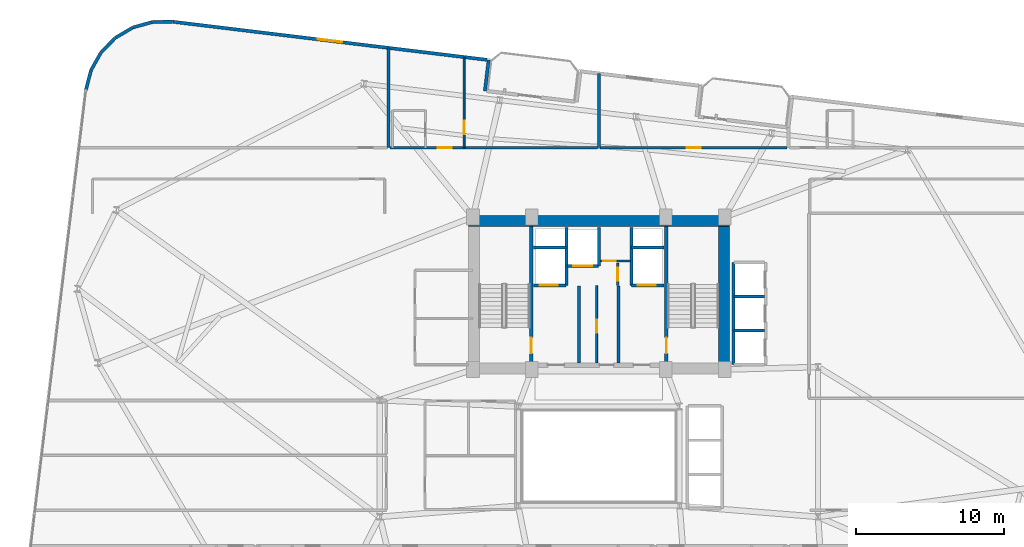
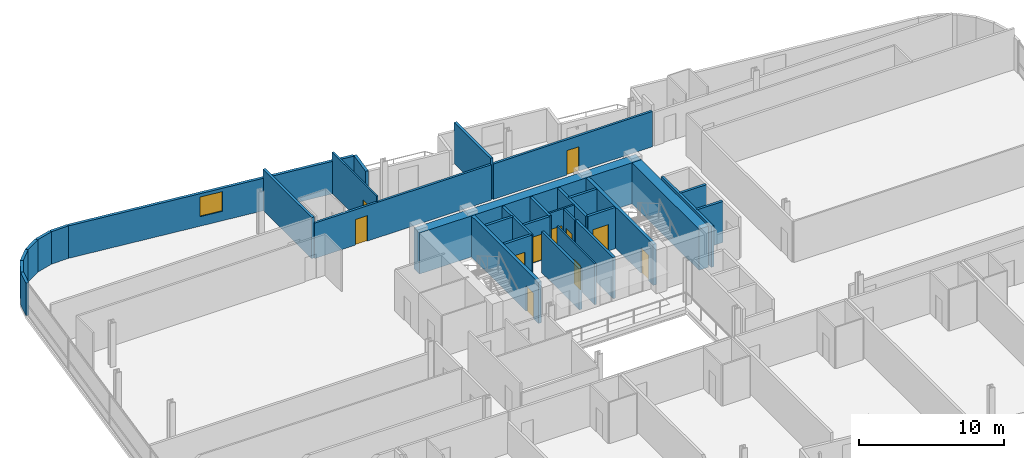
# One storey, part 22 of 26: 33 walls, 11 doors, 1 window, 12 openings.
"""IFC4 building model written with IfcOpenShell, lengths in metres."""

from ifc_helpers import new_model, si_unit, direction, frame, frame_2d, origin, place, context, subcontext, project, spatial, rectangle, extrude, material, layer, layer_set, type_object, element, fill, save


model = new_model("IFC4")

# Units and contexts
model_context = context("Model", 3, precision=1e-05, world=origin(), true_north=direction((0.0, 1.0)))
body_context = subcontext(model_context, "Body", "Model", "MODEL_VIEW")
ifc_project = project(units=[si_unit("LENGTHUNIT", "METRE"), si_unit("AREAUNIT", "SQUARE_METRE"), si_unit("VOLUMEUNIT", "CUBIC_METRE"), si_unit("PLANEANGLEUNIT", "RADIAN"), si_unit("MASSUNIT", "GRAM", prefix="KILO")], contexts=[model_context])

# Site, building, storey
site_placement = place(None, origin())
site = spatial("IfcSite", under=ifc_project, at=site_placement, CompositionType="ELEMENT")
building_placement = place(site_placement, origin())
building = spatial("IfcBuilding", under=site, at=building_placement, Name="Varnelok Gate Tower", CompositionType="ELEMENT")
storey_placement = place(building_placement, frame((0.0, 0.0, 143.89990234375)))
storey = spatial("IfcBuildingStorey", under=building, at=storey_placement, Name="L36", CompositionType="ELEMENT", Elevation=143.89990234375)

# Wall
ifc_material_1 = material(Name="Concrete C45/55", Category="concrete")
ifc_layer_1 = layer(ifc_material_1, 0.219970703125)
ifc_layer_set_1 = layer_set([ifc_layer_1], Name="Concrete C45/55")
wall_type_1 = type_object("IfcWallType", Name="EW-BALC-220", PredefinedType="SOLIDWALL", material=ifc_layer_set_1)
wall_1_placement = place(storey_placement, frame((31.50390625, 47.568115234375, 0.0), z_axis=(0.0, 0.0, 1.0), x_axis=(0.120341784665, 0.992732519294, 0.0)))
element("IfcWall", 1, at=wall_1_placement, inside=storey, type_object=wall_type_1, Name="L36 Perimeter Facade Closure Wall 31", PredefinedType="SOLIDWALL", context=body_context, shape_type="SweptSolid", body=[
    extrude(rectangle(XDim=2.099853515625, YDim=0.219970703125, at=frame_2d((1.0498046875, 0.0))), origin(), (0.0, 0.0, 1.0), 2.72998046875),
])

# Wall, opening, window
wall_2_placement = place(storey_placement, frame((31.632568359375, 49.667724609375, 0.0), z_axis=(0.0, 0.0, 1.0), x_axis=(-0.992731670483, 0.120348786531, 0.0)))
wall_2 = element("IfcWall", 2, at=wall_2_placement, inside=storey, type_object=wall_type_1, Name="L36 Perimeter Facade Closure Wall 32", PredefinedType="SOLIDWALL", context=body_context, shape_type="SweptSolid", body=[
    extrude(rectangle(XDim=21.34716796875, YDim=0.219970703125, at=frame_2d((10.673583984375, 0.0))), origin(), (0.0, 0.0, 1.0), 2.72998046875),
])
opening_1_placement = place(wall_2_placement, frame((9.8486328125, 0.0, 0.800048828125)))
opening_1 = element("IfcOpeningElement", 3, at=opening_1_placement, cuts=wall_2, Name="Opening WN3", PredefinedType="OPENING", context=body_context, shape_type="SweptSolid", body=[
    extrude(rectangle(XDim=1.64990234375, YDim=1.64990234375, at=frame_2d((0.824951171875, 0.824951171875))), frame((0.0, 0.119873046875, 0.0), z_axis=(0.0, -1.0, 0.0), x_axis=(1.0, 0.0, 0.0)), (0.0, 0.0, 1.0), 0.239990234375),
])
ifc_material_2 = material(Name="Low-E Laminated Double Glazing IGU", Category="glass")
window_type = type_object("IfcWindowType", Name="WN-HTL-1650", PartitioningType="SINGLE_PANEL", PredefinedType="WINDOW", material=ifc_material_2)
window_placement = place(opening_1_placement, origin())
window = element("IfcWindow", 4, at=window_placement, inside=storey, type_object=window_type, Name="L36 Perimeter Vision Window 32", OverallHeight=1.64990234375, OverallWidth=1.64990234375, PartitioningType="SINGLE_PANEL", PredefinedType="WINDOW", context=body_context, shape_type="SweptSolid", body=[
    extrude(rectangle(XDim=1.64990234375, YDim=1.64990234375, at=frame_2d((0.824951171875, 0.824951171875))), frame((0.0, 0.030029296875, 0.0), z_axis=(0.0, -1.0, 0.0), x_axis=(1.0, 0.0, 0.0)), (0.0, 0.0, 1.0), 0.06005859375),
])
fill(opening_1, window)

# Walls
wall_3_placement = place(storey_placement, frame((10.41552734375, 52.236572265625, 0.0), z_axis=(0.0, 0.0, 1.0), x_axis=(-0.999947718056, -0.010225514878, 0.0)))
element("IfcWall", 5, at=wall_3_placement, inside=storey, type_object=wall_type_1, Name="L36 Perimeter Facade Closure Wall 33", PredefinedType="SOLIDWALL", context=body_context, shape_type="SweptSolid", body=[
    extrude(rectangle(XDim=1.36083984375, YDim=0.219970703125, at=frame_2d((0.680419921875, 0.0))), origin(), (0.0, 0.0, 1.0), 2.72998046875),
])
for number, where, z_axis, x_axis, name in (
    (6, (9.030517578125, 52.2158203125, 0.0), (0.0, 0.0, 1.0), (-0.963227802828, -0.268686061898, 0.0), "L36 Perimeter Facade Closure Wall 34"),
    (7, (7.70556640625, 51.839599609375, 0.0), (0.0, 0.0, 1.0), (-0.860739665837, -0.509045408244, 0.0), "L36 Perimeter Facade Closure Wall 35"),
):
    element("IfcWall", number, at=place(storey_placement, frame(where, z_axis=z_axis, x_axis=x_axis)), inside=storey, type_object=wall_type_1, Name=name, PredefinedType="SOLIDWALL", context=body_context, shape_type="SweptSolid", body=[
        extrude(rectangle(XDim=1.35302734375, YDim=0.219970703125, at=frame_2d((0.676513671875, 0.0))), origin(), (0.0, 0.0, 1.0), 2.72998046875),
    ])
wall_4_placement = place(storey_placement, frame((6.5234375, 51.13330078125, 0.0), z_axis=(0.0, 0.0, 1.0), x_axis=(-0.699762925925, -0.714375144795, 0.0)))
element("IfcWall", 8, at=wall_4_placement, inside=storey, type_object=wall_type_1, Name="L36 Perimeter Facade Closure Wall 36", PredefinedType="SOLIDWALL", context=body_context, shape_type="SweptSolid", body=[
    extrude(rectangle(XDim=1.353271484375, YDim=0.219970703125, at=frame_2d((0.6767578125, 0.0))), origin(), (0.0, 0.0, 1.0), 2.72998046875),
])
wall_5_placement = place(storey_placement, frame((5.564208984375, 50.144775390625, 0.0), z_axis=(0.0, 0.0, 1.0), x_axis=(-0.491117621399, -0.871093268227, 0.0)))
element("IfcWall", 9, at=wall_5_placement, inside=storey, type_object=wall_type_1, Name="L36 Perimeter Facade Closure Wall 37", PredefinedType="SOLIDWALL", context=body_context, shape_type="SweptSolid", body=[
    extrude(rectangle(XDim=1.35302734375, YDim=0.219970703125, at=frame_2d((0.676513671875, 0.0))), origin(), (0.0, 0.0, 1.0), 2.72998046875),
])
wall_6_placement = place(storey_placement, frame((4.8935546875, 48.94189453125, 0.0), z_axis=(0.0, 0.0, 1.0), x_axis=(-0.248857256909, -0.968540172468, 0.0)))
element("IfcWall", 10, at=wall_6_placement, inside=storey, type_object=wall_type_1, Name="L36 Perimeter Facade Closure Wall 38", PredefinedType="SOLIDWALL", context=body_context, shape_type="SweptSolid", body=[
    extrude(rectangle(XDim=1.352783203125, YDim=0.219970703125, at=frame_2d((0.67626953125, 0.0))), origin(), (0.0, 0.0, 1.0), 2.72998046875),
])

# Wall, opening, door
ifc_material_3 = material(Name="Gypsum Plasterboard Acoustic Partition", Category="gypsum")
ifc_layer_2 = layer(ifc_material_3, 0.179931640625)
ifc_layer_set_2 = layer_set([ifc_layer_2], Name="Gypsum Plasterboard Acoustic Partition")
wall_type_2 = type_object("IfcWallType", Name="PW-CORR-180", PredefinedType="PARTITIONING", material=ifc_layer_set_2)
wall_7_placement = place(storey_placement, frame((25.080078125, 43.72998046875, 0.0), z_axis=(0.0, 0.0, 1.0), x_axis=(1.0, 0.0, 0.0)))
wall_7 = element("IfcWall", 11, at=wall_7_placement, inside=storey, type_object=wall_type_2, Name="Interior Partition", PredefinedType="PARTITIONING", context=body_context, shape_type="SweptSolid", body=[
    extrude(rectangle(XDim=14.0400390625, YDim=0.179931640625, at=frame_2d((7.02001953125, 0.0))), origin(), (0.0, 0.0, 1.0), 2.97216796875),
])
opening_2_placement = place(wall_7_placement, frame((3.22998046875, 0.0, 0.0)))
opening_2 = element("IfcOpeningElement", 12, at=opening_2_placement, cuts=wall_7, Name="Opening D-HT", PredefinedType="OPENING", context=body_context, shape_type="SweptSolid", body=[
    extrude(rectangle(XDim=0.949951171875, YDim=2.14990234375, at=frame_2d((0.47509765625, 1.074951171875))), frame((0.0, 0.099853515625, 0.0), z_axis=(0.0, -1.0, 0.0), x_axis=(1.0, 0.0, 0.0)), (0.0, 0.0, 1.0), 0.199951171875),
])
ifc_material_4 = material(Name="Engineered Hardwood Timber", Category="wood")
door_type_1 = type_object("IfcDoorType", Name="DR-HTL-950", OperationType="NOTDEFINED", PredefinedType="DOOR", material=ifc_material_4)
door_1_placement = place(opening_2_placement, origin())
door_1 = element("IfcDoor", 13, at=door_1_placement, inside=storey, type_object=door_type_1, Name="L36 Guest Room 09 Entrance Door", OperationType="SINGLE_SWING_RIGHT", OverallHeight=2.14990234375, OverallWidth=0.949951171875, PredefinedType="DOOR", context=body_context, shape_type="SweptSolid", body=[
    extrude(rectangle(XDim=0.949951171875, YDim=2.14990234375, at=frame_2d((0.47509765625, 1.074951171875))), frame((0.0, 0.02490234375, 0.0), z_axis=(0.0, -1.0, 0.0), x_axis=(1.0, 0.0, 0.0)), (0.0, 0.0, 1.0), 0.050048828125),
])
fill(opening_2, door_1)

wall_8_placement = place(storey_placement, frame((39.280029296875, 43.72998046875, 0.0), z_axis=(0.0, 0.0, 1.0), x_axis=(1.0, 0.0, 0.0)))
wall_8 = element("IfcWall", 14, at=wall_8_placement, inside=storey, type_object=wall_type_2, Name="Interior Partition", PredefinedType="PARTITIONING", context=body_context, shape_type="SweptSolid", body=[
    extrude(rectangle(XDim=12.639892578125, YDim=0.179931640625, at=frame_2d((6.31982421875, 0.0))), origin(), (0.0, 0.0, 1.0), 2.97216796875),
])
opening_3_placement = place(wall_8_placement, frame((5.844970703125, 0.0, 0.0)))
opening_3 = element("IfcOpeningElement", 15, at=opening_3_placement, cuts=wall_8, Name="Opening D-I2", PredefinedType="OPENING", context=body_context, shape_type="SweptSolid", body=[
    extrude(rectangle(XDim=0.949951171875, YDim=2.050048828125, at=frame_2d((0.47509765625, 1.02490234375))), frame((0.0, 0.099853515625, 0.0), z_axis=(0.0, -1.0, 0.0), x_axis=(1.0, 0.0, 0.0)), (0.0, 0.0, 1.0), 0.199951171875),
])
door_type_2 = type_object("IfcDoorType", Name="DR-INT-950", OperationType="NOTDEFINED", PredefinedType="DOOR", material=ifc_material_4)
door_2_placement = place(opening_3_placement, origin())
door_2 = element("IfcDoor", 16, at=door_2_placement, inside=storey, type_object=door_type_2, Name="L36 Sky Library Door", OperationType="SINGLE_SWING_LEFT", OverallHeight=2.050048828125, OverallWidth=0.949951171875, PredefinedType="DOOR", context=body_context, shape_type="SweptSolid", body=[
    extrude(rectangle(XDim=0.949951171875, YDim=2.050048828125, at=frame_2d((0.47509765625, 1.02490234375))), frame((0.0, 0.02490234375, 0.0), z_axis=(0.0, -1.0, 0.0), x_axis=(1.0, 0.0, 0.0)), (0.0, 0.0, 1.0), 0.050048828125),
])
fill(opening_3, door_2)

ifc_layer_3 = layer(ifc_material_3, 0.125)
ifc_layer_set_3 = layer_set([ifc_layer_3], Name="Gypsum Plasterboard Acoustic Partition")
wall_type_3 = type_object("IfcWallType", Name="PW-PART-125", PredefinedType="PARTITIONING", material=ifc_layer_set_3)
wall_9_placement = place(storey_placement, frame((30.10009765625, 43.72998046875, 0.0), z_axis=(0.0, 0.0, 1.0), x_axis=(0.0, 1.0, 0.0)))
wall_9 = element("IfcWall", 17, at=wall_9_placement, inside=storey, type_object=wall_type_3, Name="Interior Partition", PredefinedType="PARTITIONING", context=body_context, shape_type="SweptSolid", body=[
    extrude(rectangle(XDim=6.103515625, YDim=0.125, at=frame_2d((3.0517578125, 0.0))), origin(), (0.0, 0.0, 1.0), 3.4501953125),
])
opening_4_placement = place(wall_9_placement, frame((0.89453125, 0.0, 0.0)))
opening_4 = element("IfcOpeningElement", 18, at=opening_4_placement, cuts=wall_9, Name="Opening D-I3", PredefinedType="OPENING", context=body_context, shape_type="SweptSolid", body=[
    extrude(rectangle(XDim=0.919921875, YDim=2.050048828125, at=frame_2d((0.4599609375, 1.02490234375))), frame((0.0, 0.072509765625, 0.0), z_axis=(0.0, -1.0, 0.0), x_axis=(1.0, 0.0, 0.0)), (0.0, 0.0, 1.0), 0.14501953125),
])
door_type_3 = type_object("IfcDoorType", Name="DR-INT-920", OperationType="NOTDEFINED", PredefinedType="DOOR", material=ifc_material_4)
door_3_placement = place(opening_4_placement, origin())
door_3 = element("IfcDoor", 19, at=door_3_placement, inside=storey, type_object=door_type_3, Name="L36 Suite Bedroom Door 9", OperationType="SINGLE_SWING_LEFT", OverallHeight=2.050048828125, OverallWidth=0.919921875, PredefinedType="DOOR", context=body_context, shape_type="SweptSolid", body=[
    extrude(rectangle(XDim=0.919921875, YDim=2.050048828125, at=frame_2d((0.4599609375, 1.02490234375))), frame((0.0, 0.02490234375, 0.0), z_axis=(0.0, -1.0, 0.0), x_axis=(1.0, 0.0, 0.0)), (0.0, 0.0, 1.0), 0.050048828125),
])
fill(opening_4, door_3)

wall_10_placement = place(storey_placement, frame((39.050048828125, 29.199951171875, 0.0), z_axis=(0.0, 0.0, 1.0), x_axis=(0.0, 1.0, 0.0)))
wall_10 = element("IfcWall", 20, at=wall_10_placement, inside=storey, type_object=wall_type_3, Name="Interior Partition", PredefinedType="PARTITIONING", context=body_context, shape_type="SweptSolid", body=[
    extrude(rectangle(XDim=5.219970703125, YDim=0.125, at=frame_2d((2.60986328125, 0.0))), origin(), (0.0, 0.0, 1.0), 3.4501953125),
])
opening_5_placement = place(wall_10_placement, frame((2.050048828125, 0.0, 0.0)))
opening_5 = element("IfcOpeningElement", 21, at=opening_5_placement, cuts=wall_10, Name="Opening D-RS", PredefinedType="OPENING", context=body_context, shape_type="SweptSolid", body=[
    extrude(rectangle(XDim=0.85009765625, YDim=2.050048828125, at=frame_2d((0.425048828125, 1.02490234375))), frame((0.0, 0.072509765625, 0.0), z_axis=(0.0, -1.0, 0.0), x_axis=(1.0, 0.0, 0.0)), (0.0, 0.0, 1.0), 0.14501953125),
])
ifc_material_5 = material(Name="Galvanized Steel Grade S350GD", Category="steel")
door_type_4 = type_object("IfcDoorType", Name="DR-RISER-850", OperationType="NOTDEFINED", PredefinedType="DOOR", material=ifc_material_5)
door_4_placement = place(opening_5_placement, origin())
door_4 = element("IfcDoor", 22, at=door_4_placement, inside=storey, type_object=door_type_4, Name="L36 Housekeeping Linen Door", OperationType="SINGLE_SWING_LEFT", OverallHeight=2.050048828125, OverallWidth=0.85009765625, PredefinedType="DOOR", context=body_context, shape_type="SweptSolid", body=[
    extrude(rectangle(XDim=0.85009765625, YDim=2.050048828125, at=frame_2d((0.425048828125, 1.02490234375))), frame((0.0, 0.02490234375, 0.0), z_axis=(0.0, -1.0, 0.0), x_axis=(1.0, 0.0, 0.0)), (0.0, 0.0, 1.0), 0.050048828125),
])
fill(opening_5, door_4)

ifc_layer_4 = layer(ifc_material_3, 0.14990234375)
ifc_layer_set_4 = layer_set([ifc_layer_4], Name="Gypsum Plasterboard Acoustic Partition")
wall_type_4 = type_object("IfcWallType", Name="PW-PART-150", PredefinedType="PARTITIONING", material=ifc_layer_set_4)
wall_11_placement = place(storey_placement, frame((39.300048828125, 36.080078125, 0.0), z_axis=(0.0, 0.0, 1.0), x_axis=(1.0, 0.0, 0.0)))
wall_11 = element("IfcWall", 23, at=wall_11_placement, inside=storey, type_object=wall_type_4, Name="L36 Electrical Closet South Wall", PredefinedType="PARTITIONING", context=body_context, shape_type="SweptSolid", body=[
    extrude(rectangle(XDim=2.02001953125, YDim=0.14990234375, at=frame_2d((1.010009765625, 0.0))), origin(), (0.0, 0.0, 1.0), 3.4501953125),
])
opening_6_placement = place(wall_11_placement, frame((0.179931640625, 0.0, 0.0)))
opening_6 = element("IfcOpeningElement", 24, at=opening_6_placement, cuts=wall_11, Name="Opening D-RS", PredefinedType="OPENING", context=body_context, shape_type="SweptSolid", body=[
    extrude(rectangle(XDim=0.85009765625, YDim=2.050048828125, at=frame_2d((0.425048828125, 1.02490234375))), frame((0.0, 0.0849609375, 0.0), z_axis=(0.0, -1.0, 0.0), x_axis=(1.0, 0.0, 0.0)), (0.0, 0.0, 1.0), 0.169921875),
])
door_5_placement = place(opening_6_placement, origin())
door_5 = element("IfcDoor", 25, at=door_5_placement, inside=storey, type_object=door_type_4, Name="L36 Electrical Closet Door", OperationType="SINGLE_SWING_RIGHT", OverallHeight=2.050048828125, OverallWidth=0.85009765625, PredefinedType="DOOR", context=body_context, shape_type="SweptSolid", body=[
    extrude(rectangle(XDim=0.85009765625, YDim=2.050048828125, at=frame_2d((0.425048828125, 1.02490234375))), frame((0.0, 0.02490234375, 0.0), z_axis=(0.0, -1.0, 0.0), x_axis=(1.0, 0.0, 0.0)), (0.0, 0.0, 1.0), 0.050048828125),
])
fill(opening_6, door_5)

wall_12_placement = place(storey_placement, frame((40.47998046875, 34.43994140625, 0.0), z_axis=(0.0, 0.0, 1.0), x_axis=(0.0, 1.0, 0.0)))
wall_12 = element("IfcWall", 26, at=wall_12_placement, inside=storey, type_object=wall_type_4, Name="L36 Telecoms Closet West Wall", PredefinedType="PARTITIONING", context=body_context, shape_type="SweptSolid", body=[
    extrude(rectangle(XDim=1.52001953125, YDim=0.14990234375, at=frame_2d((0.760009765625, 0.0))), origin(), (0.0, 0.0, 1.0), 3.4501953125),
])
opening_7_placement = place(wall_12_placement, frame((0.320068359375, 0.0, 0.0)))
opening_7 = element("IfcOpeningElement", 27, at=opening_7_placement, cuts=wall_12, Name="Opening D-RS", PredefinedType="OPENING", context=body_context, shape_type="SweptSolid", body=[
    extrude(rectangle(XDim=0.85009765625, YDim=2.050048828125, at=frame_2d((0.425048828125, 1.02490234375))), frame((0.0, 0.0849609375, 0.0), z_axis=(0.0, -1.0, 0.0), x_axis=(1.0, 0.0, 0.0)), (0.0, 0.0, 1.0), 0.169921875),
])
door_6_placement = place(opening_7_placement, origin())
door_6 = element("IfcDoor", 28, at=door_6_placement, inside=storey, type_object=door_type_4, Name="L36 Telecoms Closet Door", OperationType="SINGLE_SWING_LEFT", OverallHeight=2.050048828125, OverallWidth=0.85009765625, PredefinedType="DOOR", context=body_context, shape_type="SweptSolid", body=[
    extrude(rectangle(XDim=0.85009765625, YDim=2.050048828125, at=frame_2d((0.425048828125, 1.02490234375))), frame((0.0, 0.02490234375, 0.0), z_axis=(0.0, -1.0, 0.0), x_axis=(1.0, 0.0, 0.0)), (0.0, 0.0, 1.0), 0.050048828125),
])
fill(opening_7, door_6)

# Walls
ifc_layer_5 = layer(ifc_material_3, 0.205078125)
ifc_layer_set_5 = layer_set([ifc_layer_5], Name="Gypsum Plasterboard Acoustic Partition")
wall_type_5 = type_object("IfcWallType", Name="PW-PARTY-200", PredefinedType="PARTITIONING", material=ifc_layer_set_5)
wall_13_placement = place(storey_placement, frame((25.0, 43.72998046875, 0.0), z_axis=(0.0, 0.0, 1.0), x_axis=(0.0, 1.0, 0.0)))
element("IfcWall", 29, at=wall_13_placement, inside=storey, type_object=wall_type_5, Name="L36 North Party Wall 1", PredefinedType="PARTITIONING", context=body_context, shape_type="SweptSolid", body=[
    extrude(rectangle(XDim=6.7216796875, YDim=0.205078125, at=frame_2d((3.36083984375, 0.0))), origin(), (0.0, 0.0, 1.0), 3.4501953125),
])
wall_14_placement = place(storey_placement, frame((39.199951171875, 43.72998046875, 0.0), z_axis=(0.0, 0.0, 1.0), x_axis=(0.0, 1.0, 0.0)))
element("IfcWall", 30, at=wall_14_placement, inside=storey, type_object=wall_type_5, Name="L36 North Party Wall 2", PredefinedType="PARTITIONING", context=body_context, shape_type="SweptSolid", body=[
    extrude(rectangle(XDim=5.000244140625, YDim=0.205078125, at=frame_2d((2.5, 0.0))), origin(), (0.0, 0.0, 1.0), 3.4501953125),
])
ifc_material_6 = material(Name="Concrete C35/45", Category="concrete")
ifc_layer_6 = layer(ifc_material_6, 0.199951171875)
ifc_layer_set_6 = layer_set([ifc_layer_6], Name="Concrete C35/45")
wall_type_6 = type_object("IfcWallType", Name="PW-SHAFT-200", PredefinedType="PARTITIONING", material=ifc_layer_set_6)
for number, where, z_axis, x_axis, name in (
    (31, (37.860107421875, 29.199951171875, 0.0), (0.0, 0.0, 1.0), (0.0, 1.0, 0.0), "L36 West FF Lobby Rated Wall"),
    (32, (40.5400390625, 29.199951171875, 0.0), (0.0, 0.0, 1.0), (0.0, 1.0, 0.0), "L36 East FF Lobby Rated Wall"),
):
    element("IfcWall", number, at=place(storey_placement, frame(where, z_axis=z_axis, x_axis=x_axis)), inside=storey, type_object=wall_type_6, Name=name, PredefinedType="PARTITIONING", context=body_context, shape_type="SweptSolid", body=[
        extrude(rectangle(XDim=5.179931640625, YDim=0.199951171875, at=frame_2d((2.58984375, 0.0))), origin(), (0.0, 0.0, 1.0), 3.4501953125),
    ])

# Wall, opening, door
wall_15_placement = place(storey_placement, frame((34.800048828125, 34.43994140625, 0.0), z_axis=(0.0, 0.0, 1.0), x_axis=(1.0, 0.0, 0.0)))
wall_15 = element("IfcWall", 33, at=wall_15_placement, inside=storey, type_object=wall_type_6, Name="L36 FF1 Shaft Front Wall", PredefinedType="PARTITIONING", context=body_context, shape_type="SweptSolid", body=[
    extrude(rectangle(XDim=2.179931640625, YDim=0.199951171875, at=frame_2d((1.08984375, 0.0))), origin(), (0.0, 0.0, 1.0), 3.4501953125),
])
opening_8_placement = place(wall_15_placement, frame((0.419921875, 0.0, 0.0)))
opening_8 = element("IfcOpeningElement", 34, at=opening_8_placement, cuts=wall_15, Name="Opening LD-FF1", PredefinedType="OPENING", context=body_context, shape_type="SweptSolid", body=[
    extrude(rectangle(XDim=1.199951171875, YDim=2.199951171875, at=frame_2d((0.60009765625, 1.10009765625))), frame((0.0, 0.10986328125, 0.0), z_axis=(0.0, -1.0, 0.0), x_axis=(1.0, 0.0, 0.0)), (0.0, 0.0, 1.0), 0.219970703125),
])
door_type_5 = type_object("IfcDoorType", Name="DR-LIFT-FF1200", OperationType="SLIDING_TO_LEFT", PredefinedType="DOOR", material=ifc_material_5)
door_7_placement = place(opening_8_placement, origin())
door_7 = element("IfcDoor", 35, at=door_7_placement, inside=storey, type_object=door_type_5, Name="L36 Firefighting Lift Landing Door LD-FF1", OperationType="SLIDING_TO_LEFT", OverallHeight=2.199951171875, OverallWidth=1.199951171875, PredefinedType="DOOR", context=body_context, shape_type="SweptSolid", body=[
    extrude(rectangle(XDim=1.199951171875, YDim=2.199951171875, at=frame_2d((0.60009765625, 1.10009765625))), frame((0.0, 0.02490234375, 0.0), z_axis=(0.0, -1.0, 0.0), x_axis=(1.0, 0.0, 0.0)), (0.0, 0.0, 1.0), 0.050048828125),
])
fill(opening_8, door_7)

# Walls
wall_16_placement = place(storey_placement, frame((34.800048828125, 36.97998046875, 0.0), z_axis=(0.0, 0.0, 1.0), x_axis=(1.0, 0.0, 0.0)))
element("IfcWall", 36, at=wall_16_placement, inside=storey, type_object=wall_type_6, Name="L36 FF1 Shaft North Wall", PredefinedType="PARTITIONING", context=body_context, shape_type="SweptSolid", body=[
    extrude(rectangle(XDim=2.179931640625, YDim=0.199951171875, at=frame_2d((1.08984375, 0.0))), origin(), (0.0, 0.0, 1.0), 3.4501953125),
])
wall_17_placement = place(storey_placement, frame((37.0, 34.43994140625, 0.0), z_axis=(0.0, 0.0, 1.0), x_axis=(0.0, 1.0, 0.0)))
element("IfcWall", 37, at=wall_17_placement, inside=storey, type_object=wall_type_6, Name="L36 FF1 Shaft Side Wall", PredefinedType="PARTITIONING", context=body_context, shape_type="SweptSolid", body=[
    extrude(rectangle(XDim=3.900146484375, YDim=0.199951171875, at=frame_2d((1.9501953125, 0.0))), origin(), (0.0, 0.0, 1.0), 3.4501953125),
])

# Wall, opening, door
wall_18_placement = place(storey_placement, frame((41.419921875, 34.43994140625, 0.0), z_axis=(0.0, 0.0, 1.0), x_axis=(1.0, 0.0, 0.0)))
wall_18 = element("IfcWall", 38, at=wall_18_placement, inside=storey, type_object=wall_type_6, Name="L36 FF2 Shaft Front Wall", PredefinedType="PARTITIONING", context=body_context, shape_type="SweptSolid", body=[
    extrude(rectangle(XDim=2.18017578125, YDim=0.199951171875, at=frame_2d((1.090087890625, 0.0))), origin(), (0.0, 0.0, 1.0), 3.4501953125),
])
opening_9_placement = place(wall_18_placement, frame((0.419921875, 0.0, 0.0)))
opening_9 = element("IfcOpeningElement", 39, at=opening_9_placement, cuts=wall_18, Name="Opening LD-FF2", PredefinedType="OPENING", context=body_context, shape_type="SweptSolid", body=[
    extrude(rectangle(XDim=1.199951171875, YDim=2.199951171875, at=frame_2d((0.60009765625, 1.10009765625))), frame((0.0, 0.10986328125, 0.0), z_axis=(0.0, -1.0, 0.0), x_axis=(1.0, 0.0, 0.0)), (0.0, 0.0, 1.0), 0.219970703125),
])
door_8_placement = place(opening_9_placement, origin())
door_8 = element("IfcDoor", 40, at=door_8_placement, inside=storey, type_object=door_type_5, Name="L36 Firefighting Lift Landing Door LD-FF2", OperationType="SLIDING_TO_LEFT", OverallHeight=2.199951171875, OverallWidth=1.199951171875, PredefinedType="DOOR", context=body_context, shape_type="SweptSolid", body=[
    extrude(rectangle(XDim=1.199951171875, YDim=2.199951171875, at=frame_2d((0.60009765625, 1.10009765625))), frame((0.0, 0.02490234375, 0.0), z_axis=(0.0, -1.0, 0.0), x_axis=(1.0, 0.0, 0.0)), (0.0, 0.0, 1.0), 0.050048828125),
])
fill(opening_9, door_8)

# Walls
wall_19_placement = place(storey_placement, frame((41.419921875, 36.97998046875, 0.0), z_axis=(0.0, 0.0, 1.0), x_axis=(1.0, 0.0, 0.0)))
element("IfcWall", 41, at=wall_19_placement, inside=storey, type_object=wall_type_6, Name="L36 FF2 Shaft North Wall", PredefinedType="PARTITIONING", context=body_context, shape_type="SweptSolid", body=[
    extrude(rectangle(XDim=2.18017578125, YDim=0.199951171875, at=frame_2d((1.090087890625, 0.0))), origin(), (0.0, 0.0, 1.0), 3.4501953125),
])
wall_20_placement = place(storey_placement, frame((41.39990234375, 34.43994140625, 0.0), z_axis=(0.0, 0.0, 1.0), x_axis=(0.0, 1.0, 0.0)))
element("IfcWall", 42, at=wall_20_placement, inside=storey, type_object=wall_type_6, Name="L36 FF2 Shaft Side Wall", PredefinedType="PARTITIONING", context=body_context, shape_type="SweptSolid", body=[
    extrude(rectangle(XDim=3.900146484375, YDim=0.199951171875, at=frame_2d((1.9501953125, 0.0))), origin(), (0.0, 0.0, 1.0), 3.4501953125),
])

# Wall, opening, door
wall_21_placement = place(storey_placement, frame((37.06005859375, 35.75, 0.0), z_axis=(0.0, 0.0, 1.0), x_axis=(1.0, 0.0, 0.0)))
wall_21 = element("IfcWall", 43, at=wall_21_placement, inside=storey, type_object=wall_type_6, Name="L36 SV1 Shaft Front Wall", PredefinedType="PARTITIONING", context=body_context, shape_type="SweptSolid", body=[
    extrude(rectangle(XDim=2.119873046875, YDim=0.199951171875, at=frame_2d((1.06005859375, 0.0))), origin(), (0.0, 0.0, 1.0), 3.4501953125),
])
opening_10_placement = place(wall_21_placement, frame((0.39990234375, 0.0, 0.0)))
opening_10 = element("IfcOpeningElement", 44, at=opening_10_placement, cuts=wall_21, Name="Opening LD-SV1", PredefinedType="OPENING", context=body_context, shape_type="SweptSolid", body=[
    extrude(rectangle(XDim=1.300048828125, YDim=2.199951171875, at=frame_2d((0.64990234375, 1.10009765625))), frame((0.0, 0.10986328125, 0.0), z_axis=(0.0, -1.0, 0.0), x_axis=(1.0, 0.0, 0.0)), (0.0, 0.0, 1.0), 0.219970703125),
])
door_type_6 = type_object("IfcDoorType", Name="DR-LIFT-SV1300", OperationType="SLIDING_TO_LEFT", PredefinedType="DOOR", material=ifc_material_5)
door_9_placement = place(opening_10_placement, origin())
door_9 = element("IfcDoor", 45, at=door_9_placement, inside=storey, type_object=door_type_6, Name="L36 Service Lift Landing Door LD-SV1", OperationType="SLIDING_TO_LEFT", OverallHeight=2.199951171875, OverallWidth=1.300048828125, PredefinedType="DOOR", context=body_context, shape_type="SweptSolid", body=[
    extrude(rectangle(XDim=1.300048828125, YDim=2.199951171875, at=frame_2d((0.64990234375, 1.10009765625))), frame((0.0, 0.02490234375, 0.0), z_axis=(0.0, -1.0, 0.0), x_axis=(1.0, 0.0, 0.0)), (0.0, 0.0, 1.0), 0.050048828125),
])
fill(opening_10, door_9)

# Walls
wall_22_placement = place(storey_placement, frame((39.219970703125, 35.75, 0.0), z_axis=(0.0, 0.0, 1.0), x_axis=(0.0, 1.0, 0.0)))
element("IfcWall", 46, at=wall_22_placement, inside=storey, type_object=wall_type_6, Name="L36 SV1 Shaft East Wall", PredefinedType="PARTITIONING", context=body_context, shape_type="SweptSolid", body=[
    extrude(rectangle(XDim=2.590087890625, YDim=0.199951171875, at=frame_2d((1.294921875, 0.0))), origin(), (0.0, 0.0, 1.0), 3.4501953125),
])
for number, where, z_axis, x_axis, name in (
    (47, (48.320068359375, 31.375, 0.0), (0.0, 0.0, 1.0), (1.0, 0.0, 0.0), "L36 PM1 Divider"),
    (48, (48.320068359375, 33.675048828125, 0.0), (0.0, 0.0, 1.0), (1.0, 0.0, 0.0), "L36 PM2 Divider"),
):
    element("IfcWall", number, at=place(storey_placement, frame(where, z_axis=z_axis, x_axis=x_axis)), inside=storey, type_object=wall_type_6, Name=name, PredefinedType="PARTITIONING", context=body_context, shape_type="SweptSolid", body=[
        extrude(rectangle(XDim=2.059814453125, YDim=0.199951171875, at=frame_2d((1.02978515625, 0.0))), origin(), (0.0, 0.0, 1.0), 3.4501953125),
    ])
wall_23_placement = place(storey_placement, frame((48.280029296875, 29.080078125, 0.0), z_axis=(0.0, 0.0, 1.0), x_axis=(0.0, 1.0, 0.0)))
element("IfcWall", 49, at=wall_23_placement, inside=storey, type_object=wall_type_6, Name="L36 PM Bank Back Wall", PredefinedType="PARTITIONING", context=body_context, shape_type="SweptSolid", body=[
    extrude(rectangle(XDim=6.889892578125, YDim=0.199951171875, at=frame_2d((3.44482421875, 0.0))), origin(), (0.0, 0.0, 1.0), 3.4501953125),
])
ifc_material_7 = material(Name="Concrete C70/85", Category="concrete")
ifc_layer_7 = layer(ifc_material_7, 0.75)
ifc_layer_set_7 = layer_set([ifc_layer_7], Name="Concrete C70/85")
wall_type_7 = type_object("IfcWallType", Name="SW-CORE-750", PredefinedType="SHEAR", material=ifc_layer_set_7)
wall_24_placement = place(storey_placement, frame((30.3798828125, 38.794921875, 0.0), z_axis=(0.0, 0.0, 1.0), x_axis=(1.0, 0.0, 0.0)))
element("IfcWall", 50, at=wall_24_placement, inside=storey, type_object=wall_type_7, Name="L36 Rear Core North Shear Wall", PredefinedType="SHEAR", context=body_context, shape_type="SweptSolid", body=[
    extrude(rectangle(XDim=17.64013671875, YDim=0.75, at=frame_2d((8.820068359375, 0.0))), origin(), (0.0, 0.0, 1.0), 3.4501953125),
])
wall_25_placement = place(storey_placement, frame((47.64501953125, 29.199951171875, 0.0), z_axis=(0.0, 0.0, 1.0), x_axis=(0.0, 1.0, 0.0)))
element("IfcWall", 51, at=wall_25_placement, inside=storey, type_object=wall_type_7, Name="L36 Rear Core East Shear Wall", PredefinedType="SHEAR", context=body_context, shape_type="SweptSolid", body=[
    extrude(rectangle(XDim=9.219970703125, YDim=0.75, at=frame_2d((4.60986328125, 0.0))), origin(), (0.0, 0.0, 1.0), 3.4501953125),
])

# Wall, opening, door
ifc_material_8 = material(Name="Concrete C60/75", Category="concrete")
ifc_layer_8 = layer(ifc_material_8, 0.25)
ifc_layer_set_8 = layer_set([ifc_layer_8], Name="Concrete C60/75")
wall_type_8 = type_object("IfcWallType", Name="SW-SHAFT-250", PredefinedType="SHEAR", material=ifc_layer_set_8)
wall_26_placement = place(storey_placement, frame((34.639892578125, 29.199951171875, 0.0), z_axis=(0.0, 0.0, 1.0), x_axis=(0.0, 1.0, 0.0)))
wall_26 = element("IfcWall", 52, at=wall_26_placement, inside=storey, type_object=wall_type_8, Name="L36 Stair ST-1 East Shear Wall", PredefinedType="SHEAR", context=body_context, shape_type="SweptSolid", body=[
    extrude(rectangle(XDim=9.219970703125, YDim=0.25, at=frame_2d((4.60986328125, 0.0))), origin(), (0.0, 0.0, 1.0), 3.4501953125),
])
opening_11_placement = place(wall_26_placement, frame((0.64990234375, 0.0, 0.0)))
opening_11 = element("IfcOpeningElement", 53, at=opening_11_placement, cuts=wall_26, Name="Opening D-ST", PredefinedType="OPENING", context=body_context, shape_type="SweptSolid", body=[
    extrude(rectangle(XDim=1.050048828125, YDim=2.14990234375, at=frame_2d((0.52490234375, 1.074951171875))), frame((0.0, 0.135009765625, 0.0), z_axis=(0.0, -1.0, 0.0), x_axis=(1.0, 0.0, 0.0)), (0.0, 0.0, 1.0), 0.27001953125),
])
door_type_7 = type_object("IfcDoorType", Name="DR-STAIR-1050", OperationType="NOTDEFINED", PredefinedType="DOOR", material=ifc_material_5)
door_10_placement = place(opening_11_placement, origin())
door_10 = element("IfcDoor", 54, at=door_10_placement, inside=storey, type_object=door_type_7, Name="L36 Exit Stair ST-1 Fire Door", OperationType="SINGLE_SWING_LEFT", OverallHeight=2.14990234375, OverallWidth=1.050048828125, PredefinedType="DOOR", context=body_context, shape_type="SweptSolid", body=[
    extrude(rectangle(XDim=1.050048828125, YDim=2.14990234375, at=frame_2d((0.52490234375, 1.074951171875))), frame((0.0, 0.02490234375, 0.0), z_axis=(0.0, -1.0, 0.0), x_axis=(1.0, 0.0, 0.0)), (0.0, 0.0, 1.0), 0.050048828125),
])
fill(opening_11, door_10)

wall_27_placement = place(storey_placement, frame((43.760009765625, 29.199951171875, 0.0), z_axis=(0.0, 0.0, 1.0), x_axis=(0.0, 1.0, 0.0)))
wall_27 = element("IfcWall", 55, at=wall_27_placement, inside=storey, type_object=wall_type_8, Name="L36 Stair ST-2 West Shear Wall", PredefinedType="SHEAR", context=body_context, shape_type="SweptSolid", body=[
    extrude(rectangle(XDim=9.219970703125, YDim=0.25, at=frame_2d((4.60986328125, 0.0))), origin(), (0.0, 0.0, 1.0), 3.4501953125),
])
opening_12_placement = place(wall_27_placement, frame((0.64990234375, 0.0, 0.0)))
opening_12 = element("IfcOpeningElement", 56, at=opening_12_placement, cuts=wall_27, Name="Opening D-ST", PredefinedType="OPENING", context=body_context, shape_type="SweptSolid", body=[
    extrude(rectangle(XDim=1.050048828125, YDim=2.14990234375, at=frame_2d((0.52490234375, 1.074951171875))), frame((0.0, 0.135009765625, 0.0), z_axis=(0.0, -1.0, 0.0), x_axis=(1.0, 0.0, 0.0)), (0.0, 0.0, 1.0), 0.27001953125),
])
door_11_placement = place(opening_12_placement, origin())
door_11 = element("IfcDoor", 57, at=door_11_placement, inside=storey, type_object=door_type_7, Name="L36 Exit Stair ST-2 Fire Door", OperationType="SINGLE_SWING_RIGHT", OverallHeight=2.14990234375, OverallWidth=1.050048828125, PredefinedType="DOOR", context=body_context, shape_type="SweptSolid", body=[
    extrude(rectangle(XDim=1.050048828125, YDim=2.14990234375, at=frame_2d((0.52490234375, 1.074951171875))), frame((0.0, 0.02490234375, 0.0), z_axis=(0.0, -1.0, 0.0), x_axis=(1.0, 0.0, 0.0)), (0.0, 0.0, 1.0), 0.050048828125),
])
fill(opening_12, door_11)

save(model, "model.ifc")
